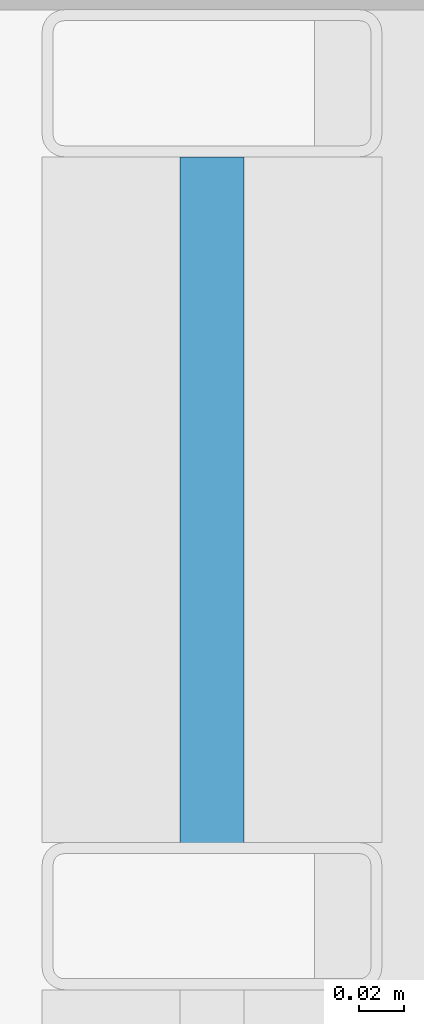
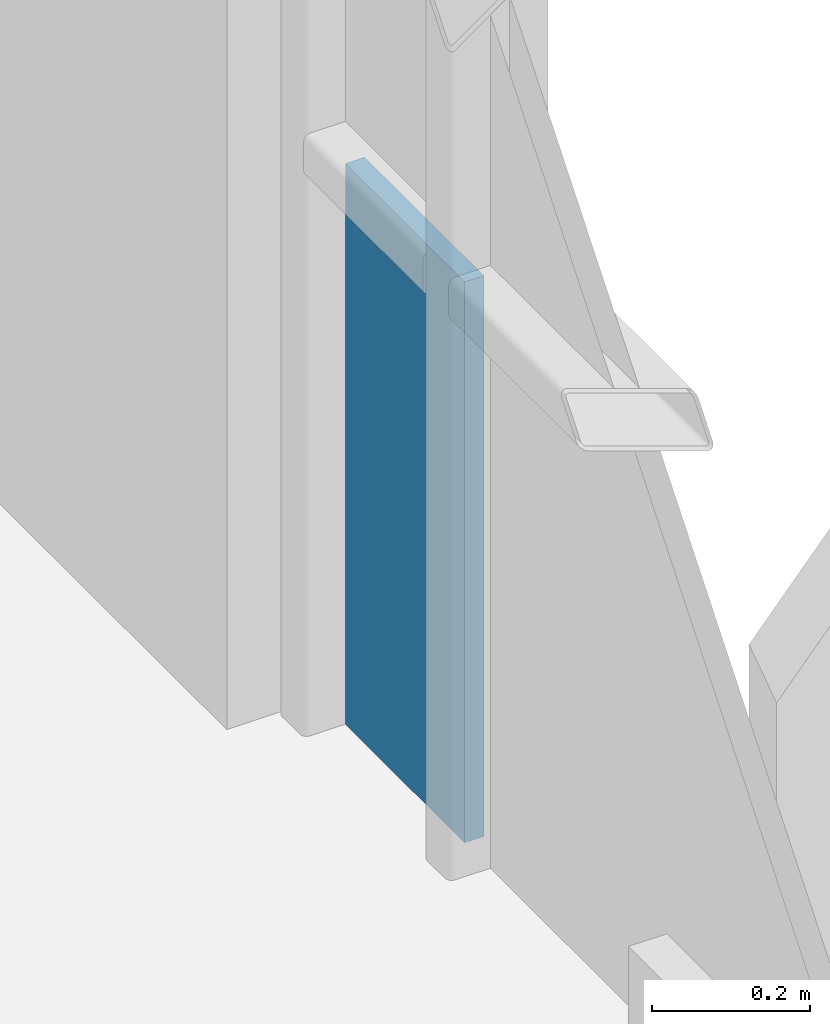
# One storey, part 28 of 39: 1 plate, 1 element without a shape of its own.
"""IFC4 building model written with IfcOpenShell, lengths in metres."""

from ifc_helpers import new_model, si_unit, direction, frame, origin, origin_2d, place, context, subcontext, project, spatial, rectangle, extrude, material, layer, layer_set, type_object, element, aggregate, save


model = new_model("IFC4")

# Units and contexts
model_context = context("Model", 3, precision=1e-05, world=origin(), true_north=direction((0.0, 1.0)))
body_context = subcontext(model_context, "Body", "Model", "MODEL_VIEW")
ifc_project = project(units=[si_unit("LENGTHUNIT", "METRE"), si_unit("AREAUNIT", "SQUARE_METRE"), si_unit("VOLUMEUNIT", "CUBIC_METRE"), si_unit("PLANEANGLEUNIT", "RADIAN"), si_unit("MASSUNIT", "GRAM", prefix="KILO")], contexts=[model_context])

# Site, building, storey
site_placement = place(None, origin())
site = spatial("IfcSite", under=ifc_project, at=site_placement, CompositionType="ELEMENT")
building_placement = place(site_placement, origin())
building = spatial("IfcBuilding", under=site, at=building_placement, Name="Brevholm Reach", CompositionType="ELEMENT")
storey_placement = place(building_placement, frame((0.0, 0.0, 154.199951171875)))
storey = spatial("IfcBuildingStorey", under=building, at=storey_placement, Name="L46", CompositionType="ELEMENT", Elevation=154.199951171875)

# Curtain wall, plate
ifc_material_1 = material(Name="Dark Anodised Aluminium 6063-T6 and Solar-Control Glass", Category="aluminium")
ifc_layer_1 = layer(ifc_material_1, 0.14990234375)
ifc_layer_set_1 = layer_set([ifc_layer_1], Name="Dark Anodised Aluminium 6063-T6 and Solar-Control Glass")
curtain_wall_type = type_object("IfcCurtainWallType", Name="CW-01", PredefinedType="NOTDEFINED", material=ifc_layer_set_1)
curtain_wall_placement = place(storey_placement, origin())
curtain_wall = element("IfcCurtainWall", 1, at=curtain_wall_placement, inside=storey, type_object=curtain_wall_type, Name="L46 Curtain Wall CW-01", PredefinedType="NOTDEFINED")
ifc_material_2 = material(Name="Dark Solar-Control Double-Glazed IGU Glass", Category="glass")
ifc_layer_2 = layer(ifc_material_2, 0.028076171875)
ifc_layer_set_2 = layer_set([ifc_layer_2], Name="Dark Solar-Control Double-Glazed IGU Glass")
plate_type = type_object("IfcPlateType", Name="CWP-GLZ-28", PredefinedType="CURTAIN_PANEL", material=ifc_layer_set_2)
plate_placement = place(storey_placement, frame((59.85009765625, 22.733642578125, 0.0), z_axis=(0.0, 0.0, 1.0), x_axis=(0.0, 1.0, 0.0)))
plate = element("IfcPlate", 2, at=plate_placement, type_object=plate_type, Name="CP-01 Glazing Panel 5.1", PredefinedType="CURTAIN_PANEL", context=body_context, shape_type="SweptSolid", body=[
    extrude(rectangle(XDim=0.302490234375, YDim=0.028076171875, at=origin_2d()), origin(), (0.0, 0.0, 1.0), 0.867431640625),
])
aggregate(curtain_wall, [plate])

save(model, "model.ifc")
